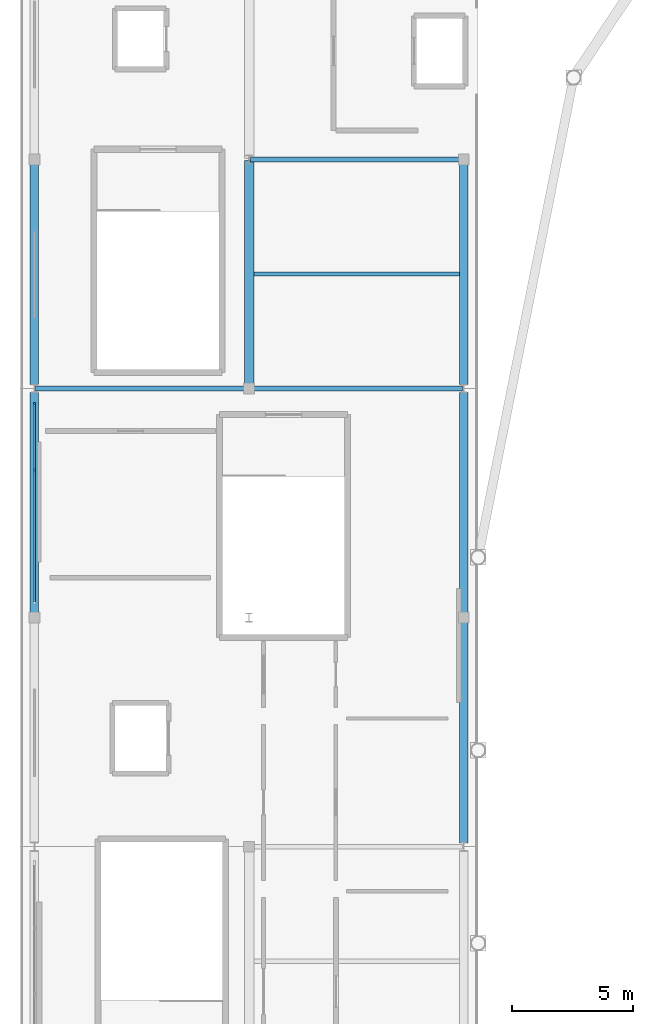
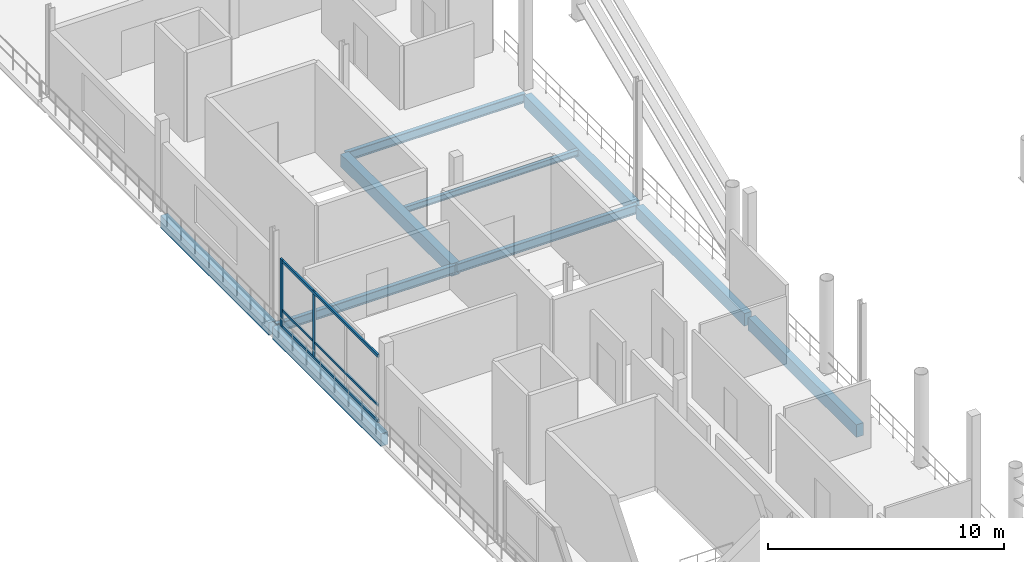
# One storey, part 18 of 29: 10 beams, 5 members, 1 element without a shape of its own.
"""IFC4 building model written with IfcOpenShell, lengths in metres."""

from ifc_helpers import new_model, si_unit, direction, frame, origin, origin_2d, place, context, subcontext, project, spatial, rectangle, i_section, extrude, material, material_profile, profile_set, type_object, element, aggregate, save


model = new_model("IFC4")

# Units and contexts
model_context = context("Model", 3, precision=1e-05, world=origin(), true_north=direction((0.0, 1.0)))
body_context = subcontext(model_context, "Body", "Model", "MODEL_VIEW")
ifc_project = project(units=[si_unit("LENGTHUNIT", "METRE"), si_unit("AREAUNIT", "SQUARE_METRE"), si_unit("VOLUMEUNIT", "CUBIC_METRE"), si_unit("PLANEANGLEUNIT", "RADIAN"), si_unit("MASSUNIT", "GRAM", prefix="KILO")], contexts=[model_context])

# Site, building, storey
site_placement = place(None, origin())
site = spatial("IfcSite", under=ifc_project, at=site_placement, CompositionType="ELEMENT")
building_placement = place(site_placement, origin())
building = spatial("IfcBuilding", under=site, at=building_placement, Name="Candeia Ridge Stadium", CompositionType="ELEMENT")
storey_placement = place(building_placement, frame((0.0, 0.0, 27.0)))
storey = spatial("IfcBuildingStorey", under=building, at=storey_placement, Name="L05", CompositionType="ELEMENT", Elevation=27.0)

# Curtain wall, members
ifc_material_1 = material(Name="Aluminium Anodized Warm Bronze", Category="aluminium")
curtain_wall_type = type_object("IfcCurtainWallType", Name="West Pavilion Hospitality Curtain Wall", PredefinedType="NOTDEFINED", material=ifc_material_1)
curtain_wall_placement = place(storey_placement, origin())
curtain_wall = element("IfcCurtainWall", 1, at=curtain_wall_placement, inside=storey, type_object=curtain_wall_type, Name="Unitised curtain wall CW-WNG-L05-100", PredefinedType="NOTDEFINED")
ifc_material_profile_1 = material_profile(ifc_material_1, rectangle(XDim=0.090087890625, YDim=0.179931640625, at=origin_2d()), Name="CWM-90x180", Category="aluminium")
ifc_profile_set_1 = profile_set([ifc_material_profile_1], Name="Aluminium Anodized Warm Bronze")
member_type_1 = type_object("IfcMemberType", Name="Curtain Wall Primary Mullion 90x180", PredefinedType="MULLION", material=ifc_profile_set_1)
member_1_placement = place(storey_placement, frame((0.60009765625, 101.340087890625, 0.0), z_axis=(0.0, 0.0, 1.0), x_axis=(1.0, 0.0, 0.0)))
member_1 = element("IfcMember", 2, at=member_1_placement, type_object=member_type_1, Name="Curtain wall mullion CW-WNG-L05-100-M3", PredefinedType="MULLION", context=body_context, shape_type="SweptSolid", body=[
    extrude(rectangle(XDim=0.090087890625, YDim=0.179931640625, at=origin_2d()), origin(), (0.0, 0.0, 1.0), 3.5),
])
ifc_material_profile_2 = material_profile(ifc_material_1, rectangle(XDim=0.074951171875, YDim=0.14990234375, at=origin_2d()), Name="CWM-75x150", Category="aluminium")
ifc_profile_set_2 = profile_set([ifc_material_profile_2], Name="Aluminium Anodized Warm Bronze")
member_type_2 = type_object("IfcMemberType", Name="Curtain Wall Secondary Mullion 75x150", PredefinedType="MULLION", material=ifc_profile_set_2)
member_2_placement = place(storey_placement, frame((0.60009765625, 98.61328125, 0.0), z_axis=(0.0, 0.0, 1.0), x_axis=(1.0, 0.0, 0.0)))
member_2 = element("IfcMember", 3, at=member_2_placement, type_object=member_type_2, Name="Curtain wall mullion CW-WNG-L05-100-M2", PredefinedType="MULLION", context=body_context, shape_type="SweptSolid", body=[
    extrude(rectangle(XDim=0.074951171875, YDim=0.14990234375, at=origin_2d()), origin(), (0.0, 0.0, 1.0), 3.5),
])
ifc_material_profile_3 = material_profile(ifc_material_1, rectangle(XDim=0.074951171875, YDim=0.110107421875, at=origin_2d()), Name="CWT-75x110", Category="aluminium")
ifc_profile_set_3 = profile_set([ifc_material_profile_3], Name="Aluminium Anodized Warm Bronze")
member_type_3 = type_object("IfcMemberType", Name="Curtain Wall Secondary Transom 75x110", PredefinedType="USERDEFINED", material=ifc_profile_set_3)
member_3_placement = place(storey_placement, frame((0.60009765625, 93.159912109375, 0.875), z_axis=(0.0, 1.0, 0.0), x_axis=(-1.0, 0.0, 0.0)))
member_3 = element("IfcMember", 4, at=member_3_placement, type_object=member_type_3, Name="Curtain wall transom CW-WNG-L05-100-T1", ObjectType="TRANSOM", PredefinedType="USERDEFINED", context=body_context, shape_type="SweptSolid", body=[
    extrude(rectangle(XDim=0.074951171875, YDim=0.110107421875, at=origin_2d()), origin(), (0.0, 0.0, 1.0), 8.18017578125),
])
ifc_material_profile_4 = material_profile(ifc_material_1, rectangle(XDim=0.090087890625, YDim=0.139892578125, at=origin_2d()), Name="CWT-90x140", Category="aluminium")
ifc_profile_set_4 = profile_set([ifc_material_profile_4], Name="Aluminium Anodized Warm Bronze")
member_type_4 = type_object("IfcMemberType", Name="Curtain Wall Transom 90x140", PredefinedType="USERDEFINED", material=ifc_profile_set_4)
member_4_placement = place(storey_placement, frame((0.60009765625, 93.159912109375, 0.070068359375), z_axis=(0.0, 1.0, 0.0), x_axis=(-1.0, 0.0, 0.0)))
member_4 = element("IfcMember", 5, at=member_4_placement, type_object=member_type_4, Name="Curtain wall transom CW-WNG-L05-100-T0", ObjectType="TRANSOM", PredefinedType="USERDEFINED", context=body_context, shape_type="SweptSolid", body=[
    extrude(rectangle(XDim=0.090087890625, YDim=0.139892578125, at=origin_2d()), origin(), (0.0, 0.0, 1.0), 8.18017578125),
])
member_5_placement = place(storey_placement, frame((0.60009765625, 93.159912109375, 3.429931640625), z_axis=(0.0, 1.0, 0.0), x_axis=(-1.0, 0.0, 0.0)))
member_5 = element("IfcMember", 6, at=member_5_placement, type_object=member_type_4, Name="Curtain wall transom CW-WNG-L05-100-T2", ObjectType="TRANSOM", PredefinedType="USERDEFINED", context=body_context, shape_type="SweptSolid", body=[
    extrude(rectangle(XDim=0.090087890625, YDim=0.139892578125, at=origin_2d()), origin(), (0.0, 0.0, 1.0), 8.18017578125),
])
aggregate(curtain_wall, [member_2, member_1, member_4, member_3, member_5])

# Beams
ifc_material_2 = material(Name="Steel ASTM A572 Grade 50", Category="steel")
ifc_material_profile_5 = material_profile(ifc_material_2, i_section(OverallWidth=0.194091796875, OverallDepth=0.468994140625, WebThickness=0.0126953125, FlangeThickness=0.0205078125, FilletRadius=0.012939453125, at=origin_2d()), Name="W460x106", Category="steel")
ifc_profile_set_5 = profile_set([ifc_material_profile_5], Name="Steel ASTM A572 Grade 50")
beam_type_1 = type_object("IfcBeamType", Name="Gondola Primary Girder W460x106", PredefinedType="BEAM", material=ifc_profile_set_5)
for number, where, z_axis, x_axis, name in (
    (7, (0.64990234375, 102.0, -0.484619140625), (1.0, 0.0, 0.0), (0.0, 1.0, 0.0), "Structural girder BM-L05-1393"),
    (8, (9.550048828125, 102.0, -0.484619140625), (1.0, 0.0, 0.0), (0.0, 1.0, 0.0), "Structural girder BM-L05-1411"),
    (9, (9.550048828125, 111.5, -0.484619140625), (1.0, 0.0, 0.0), (0.0, 1.0, 0.0), "Structural girder BM-L05-1413"),
):
    element("IfcBeam", number, at=place(storey_placement, frame(where, z_axis=z_axis, x_axis=x_axis)), inside=storey, type_object=beam_type_1, Name=name, PredefinedType="BEAM", context=body_context, shape_type="SweptSolid", body=[
        extrude(i_section(OverallWidth=0.194091796875, OverallDepth=0.468994140625, WebThickness=0.0126953125, FlangeThickness=0.0205078125, FilletRadius=0.012939453125, at=origin_2d()), origin(), (0.0, 0.0, 1.0), 8.800048828125),
    ])
ifc_material_profile_6 = material_profile(ifc_material_2, i_section(OverallWidth=0.1669921875, OverallDepth=0.31689453125, WebThickness=0.007568359375, FlangeThickness=0.01318359375, FilletRadius=0.011962890625, at=origin_2d()), Name="W310x52", Category="steel")
ifc_profile_set_6 = profile_set([ifc_material_profile_6], Name="Steel ASTM A572 Grade 50")
beam_type_2 = type_object("IfcBeamType", Name="Pavilion Secondary Joist W310x52", PredefinedType="JOIST", material=ifc_profile_set_6)
beam_1_placement = place(storey_placement, frame((9.699462890625, 106.75, -0.408447265625), z_axis=(1.0, 0.0, 0.0), x_axis=(0.0, 1.0, 0.0)))
element("IfcBeam", 10, at=beam_1_placement, inside=storey, type_object=beam_type_2, Name="Wing secondary joist BM-L05-1412", PredefinedType="JOIST", context=body_context, shape_type="SweptSolid", body=[
    extrude(i_section(OverallWidth=0.1669921875, OverallDepth=0.31689453125, WebThickness=0.007568359375, FlangeThickness=0.01318359375, FilletRadius=0.011962890625, at=origin_2d()), origin(), (0.0, 0.0, 1.0), 8.526123046875),
])
ifc_material_3 = material(Name="Concrete C40/50", Category="concrete")
ifc_material_profile_7 = material_profile(ifc_material_3, rectangle(XDim=0.35009765625, YDim=0.64990234375, at=origin_2d()), Name="RC350x650", Category="concrete")
ifc_profile_set_7 = profile_set([ifc_material_profile_7], Name="Concrete C40/50")
beam_type_3 = type_object("IfcBeamType", Name="Spandrel Beam RC350x650", PredefinedType="SPANDREL", material=ifc_profile_set_7)
for number, where, z_axis, x_axis, name in (
    (11, (0.60009765625, 92.659912109375, -0.574951171875), (0.0, 1.0, 0.0), (-1.0, 0.0, 0.0), "Structural girder BM-L05-1360"),
    (12, (0.60009765625, 102.159912109375, -0.574951171875), (0.0, 1.0, 0.0), (-1.0, 0.0, 0.0), "Structural girder BM-L05-1361"),
    (13, (18.39990234375, 83.159912109375, -0.574951171875), (0.0, 1.0, 0.0), (-1.0, 0.0, 0.0), "Structural girder BM-L05-1380"),
    (14, (18.39990234375, 92.659912109375, -0.574951171875), (0.0, 1.0, 0.0), (-1.0, 0.0, 0.0), "Structural girder BM-L05-1381"),
    (15, (18.39990234375, 102.159912109375, -0.574951171875), (0.0, 1.0, 0.0), (-1.0, 0.0, 0.0), "Structural girder BM-L05-1382"),
):
    element("IfcBeam", number, at=place(storey_placement, frame(where, z_axis=z_axis, x_axis=x_axis)), inside=storey, type_object=beam_type_3, Name=name, PredefinedType="SPANDREL", context=body_context, shape_type="SweptSolid", body=[
        extrude(rectangle(XDim=0.35009765625, YDim=0.64990234375, at=origin_2d()), origin(), (0.0, 0.0, 1.0), 9.18017578125),
    ])
ifc_material_profile_8 = material_profile(ifc_material_3, rectangle(XDim=0.39990234375, YDim=0.64990234375, at=origin_2d()), Name="RC400x650", Category="concrete")
ifc_profile_set_8 = profile_set([ifc_material_profile_8], Name="Concrete C40/50")
beam_type_4 = type_object("IfcBeamType", Name="Wing Primary Girder RC400x650", PredefinedType="BEAM", material=ifc_profile_set_8)
beam_2_placement = place(storey_placement, frame((9.5, 102.050048828125, -0.574951171875), z_axis=(0.0, 1.0, 0.0), x_axis=(-1.0, 0.0, 0.0)))
element("IfcBeam", 16, at=beam_2_placement, inside=storey, type_object=beam_type_4, Name="Structural girder BM-L05-1371", PredefinedType="BEAM", context=body_context, shape_type="SweptSolid", body=[
    extrude(rectangle(XDim=0.39990234375, YDim=0.64990234375, at=origin_2d()), origin(), (0.0, 0.0, 1.0), 9.39990234375),
])

save(model, "model.ifc")
